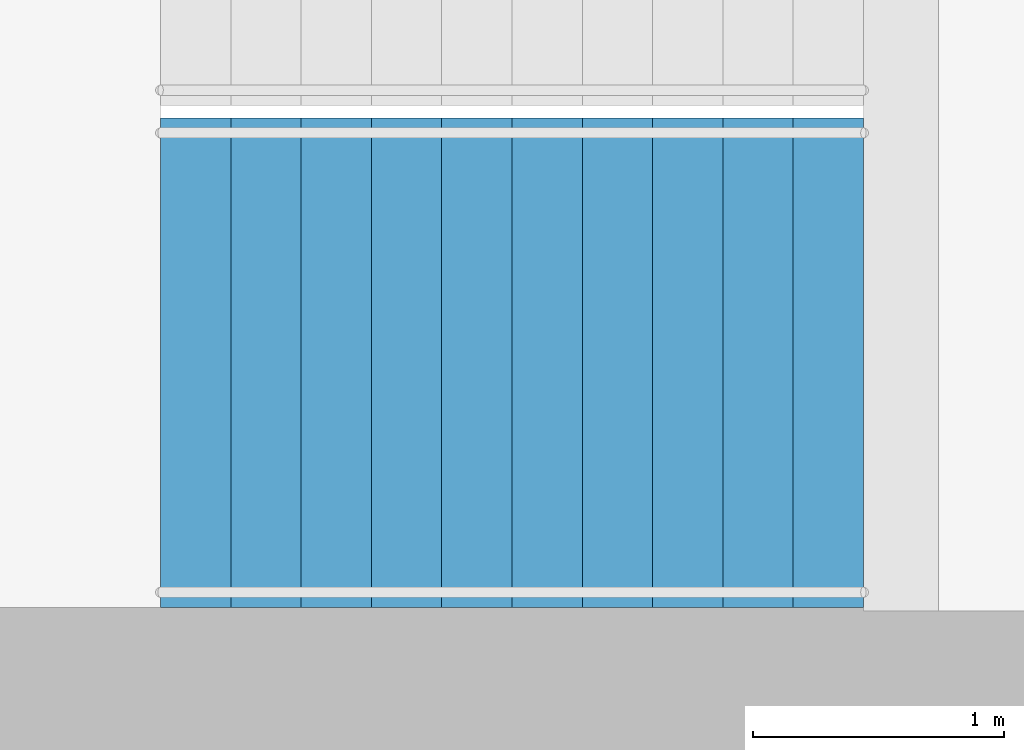
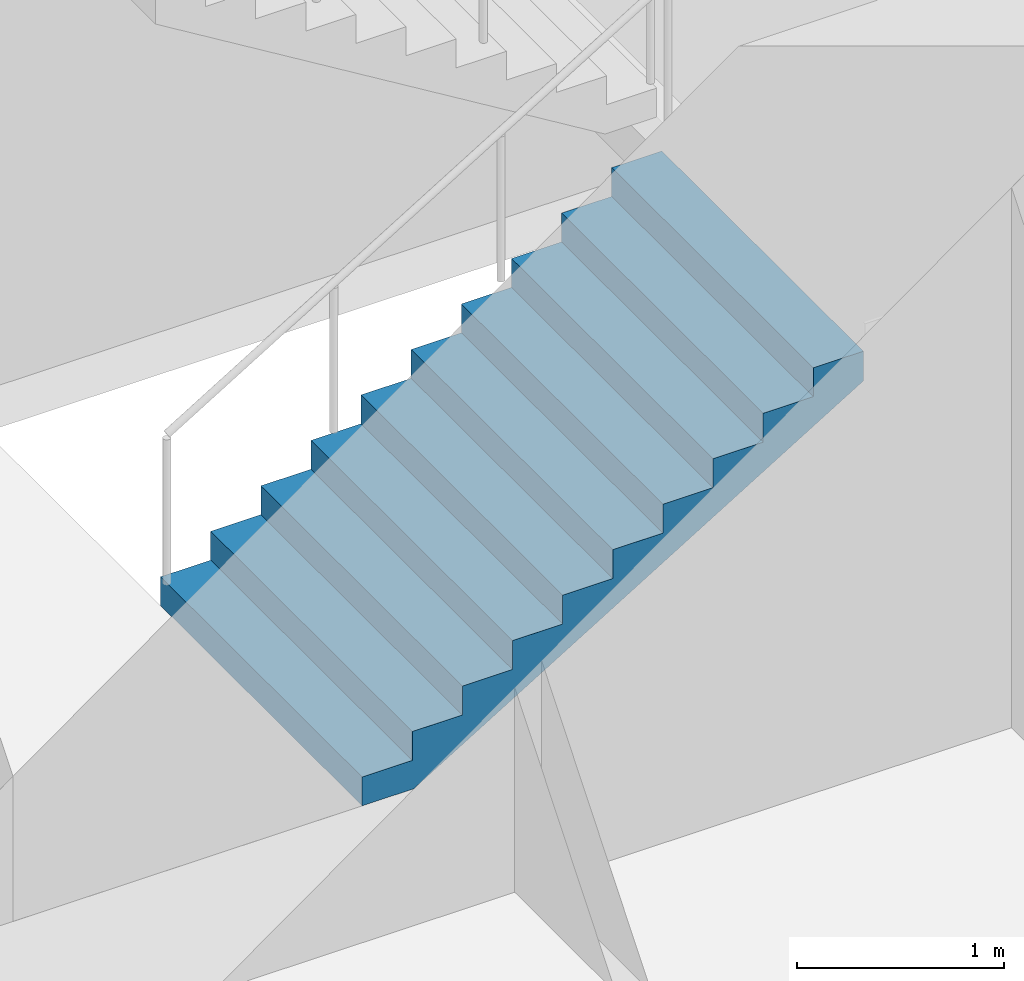
# One storey, part 21 of 25: 1 stair flight, 1 element without a shape of its own.
"""IFC4 building model written with IfcOpenShell, lengths in metres."""

from ifc_helpers import new_model, si_unit, direction, frame, origin, place, context, subcontext, project, spatial, triangles, material, type_object, element, aggregate, save


model = new_model("IFC4")

# Units and contexts
model_context = context("Model", 3, precision=1e-05, world=origin(), true_north=direction((0.0, 1.0)))
body_context = subcontext(model_context, "Body", "Model", "MODEL_VIEW")
ifc_project = project(units=[si_unit("LENGTHUNIT", "METRE"), si_unit("AREAUNIT", "SQUARE_METRE"), si_unit("VOLUMEUNIT", "CUBIC_METRE"), si_unit("PLANEANGLEUNIT", "RADIAN"), si_unit("MASSUNIT", "GRAM", prefix="KILO")], contexts=[model_context])

# Site, building, storey
site_placement = place(None, origin())
site = spatial("IfcSite", under=ifc_project, at=site_placement, CompositionType="ELEMENT")
building_placement = place(site_placement, origin())
building = spatial("IfcBuilding", under=site, at=building_placement, Name="Orbita Commons", CompositionType="ELEMENT")
storey_placement = place(building_placement, frame((0.0, 0.0, 31.449951171875)))
storey = spatial("IfcBuildingStorey", under=building, at=storey_placement, Name="L07", CompositionType="ELEMENT", Elevation=31.449951171875)

# Stair, stair flight
ifc_material_1 = material(Name="Precast concrete C40/50", Category="concrete")
stair_type = type_object("IfcStairType", Name="Exit stair S1 2 flights 11 risers 170", PredefinedType="HALF_TURN_STAIR", material=ifc_material_1)
stair_placement = place(storey_placement, origin())
stair = element("IfcStair", 1, at=stair_placement, inside=storey, type_object=stair_type, Name="Exit stair S1 L07", PredefinedType="HALF_TURN_STAIR")
ifc_material_2 = material(Name="Precast concrete C40/50", Category="concrete")
stair_flight_type = type_object("IfcStairFlightType", Name="Stair flight 11 risers 170 x 280", PredefinedType="STRAIGHT", material=ifc_material_2)
stair_flight_placement = place(storey_placement, frame((20.449951171875, 27.27490234375, 0.0), z_axis=(0.0, 0.0, 1.0), x_axis=(1.0, 0.0, 0.0)))
stair_flight = element("IfcStairFlight", 2, at=stair_flight_placement, type_object=stair_flight_type, Name="S1 flight 1", NumberOfRisers=11, NumberOfTreads=10, PredefinedType="STRAIGHT", RiserHeight=0.170454545, TreadLength=0.28, context=body_context, shape_type="Tessellation", body=[
    triangles([(0.0, 0.974976, 0.0), (0.0, 0.974976, 0.021307), (0.0, 0.81248, 0.021307), (0.0, 0.81248, 0.0), (0.0, 0.649984, 0.021307), (0.0, 0.649984, 0.0), (0.0, 0.487488, 0.021307), (0.0, 0.487488, 0.0), (0.0, 0.324992, 0.021307), (0.0, 0.324992, 0.0), (0.0, 0.162496, 0.021307), (0.0, 0.162496, 0.0), (0.0, 0.0, 0.021307), (0.0, 0.0, 0.0), (0.0, -0.162496, 0.021307), (0.0, -0.162496, 0.0), (0.0, -0.324992, 0.021307), (0.0, -0.324992, 0.0), (0.0, -0.487488, 0.021307), (0.0, -0.487488, 0.0), (0.0, -0.649984, 0.021307), (0.0, -0.649984, 0.0), (0.0, -0.81248, 0.021307), (0.0, -0.81248, 0.0), (0.0, -0.974976, 0.021307), (0.0, -0.974976, 0.0), (0.0, 0.974976, 0.042614), (0.0, 0.81248, 0.042614), (0.0, 0.649984, 0.042614), (0.0, 0.487488, 0.042614), (0.0, 0.324992, 0.042614), (0.0, 0.162496, 0.042614), (0.0, 0.0, 0.042614), (0.0, -0.162496, 0.042614), (0.0, -0.324992, 0.042614), (0.0, -0.487488, 0.042614), (0.0, -0.649984, 0.042614), (0.0, -0.81248, 0.042614), (0.0, -0.974976, 0.042614), (0.0, 0.974976, 0.06392), (0.0, 0.81248, 0.06392), (0.0, 0.649984, 0.06392), (0.0, 0.487488, 0.06392), (0.0, 0.324992, 0.06392), (0.0, 0.162496, 0.06392), (0.0, 0.0, 0.06392), (0.0, -0.162496, 0.06392), (0.0, -0.324992, 0.06392), (0.0, -0.487488, 0.06392), (0.0, -0.649984, 0.06392), (0.0, -0.81248, 0.06392), (0.0, -0.974976, 0.06392), (0.0, 0.974976, 0.085227), (0.0, 0.81248, 0.085227), (0.0, 0.649984, 0.085227), (0.0, 0.487488, 0.085227), (0.0, 0.324992, 0.085227), (0.0, 0.162496, 0.085227), (0.0, 0.0, 0.085227), (0.0, -0.162496, 0.085227), (0.0, -0.324992, 0.085227), (0.0, -0.487488, 0.085227), (0.0, -0.649984, 0.085227), (0.0, -0.81248, 0.085227), (0.0, -0.974976, 0.085227), (0.0, 0.974976, 0.106534), (0.0, 0.81248, 0.106534), (0.0, 0.649984, 0.106534), (0.0, 0.487488, 0.106534), (0.0, 0.324992, 0.106534), (0.0, 0.162496, 0.106534), (0.0, 0.0, 0.106534), (0.0, -0.162496, 0.106534), (0.0, -0.324992, 0.106534), (0.0, -0.487488, 0.106534), (0.0, -0.649984, 0.106534), (0.0, -0.81248, 0.106534), (0.0, -0.974976, 0.106534), (0.0, 0.974976, 0.127841), (0.0, 0.81248, 0.127841), (0.0, 0.649984, 0.127841), (0.0, 0.487488, 0.127841), (0.0, 0.324992, 0.127841), (0.0, 0.162496, 0.127841), (0.0, 0.0, 0.127841), (0.0, -0.162496, 0.127841), (0.0, -0.324992, 0.127841), (0.0, -0.487488, 0.127841), (0.0, -0.649984, 0.127841), (0.0, -0.81248, 0.127841), (0.0, -0.974976, 0.127841), (0.0, 0.974976, 0.149148), (0.0, 0.81248, 0.149148), (0.0, 0.649984, 0.149148), (0.0, 0.487488, 0.149148), (0.0, 0.324992, 0.149148), (0.0, 0.162496, 0.149148), (0.0, 0.0, 0.149148), (0.0, -0.162496, 0.149148), (0.0, -0.324992, 0.149148), (0.0, -0.487488, 0.149148), (0.0, -0.649984, 0.149148), (0.0, -0.81248, 0.149148), (0.0, -0.974976, 0.149148), (0.0, 0.974976, 0.170455), (0.0, 0.81248, 0.170455), (0.0, 0.649984, 0.170455), (0.0, 0.487488, 0.170455), (0.0, 0.324992, 0.170455), (0.0, 0.162496, 0.170455), (0.0, 0.0, 0.170455), (0.0, -0.162496, 0.170455), (0.0, -0.324992, 0.170455), (0.0, -0.487488, 0.170455), (0.0, -0.649984, 0.170455), (0.0, -0.81248, 0.170455), (0.0, -0.974976, 0.170455), (0.28, 0.974976, 0.170455), (0.28, 0.81248, 0.170455), (0.28, 0.649984, 0.170455), (0.28, 0.487488, 0.170455), (0.28, 0.324992, 0.170455), (0.28, 0.162496, 0.170455), (0.28, 0.0, 0.170455), (0.28, -0.162496, 0.170455), (0.28, -0.324992, 0.170455), (0.28, -0.487488, 0.170455), (0.28, -0.649984, 0.170455), (0.28, -0.81248, 0.170455), (0.28, -0.974976, 0.170455), (0.28, 0.974976, 0.340909), (0.28, 0.81248, 0.340909), (0.28, 0.649984, 0.340909), (0.28, 0.487488, 0.340909), (0.28, 0.324992, 0.340909), (0.28, 0.162496, 0.340909), (0.28, 0.0, 0.340909), (0.28, -0.162496, 0.340909), (0.28, -0.324992, 0.340909), (0.28, -0.487488, 0.340909), (0.28, -0.649984, 0.340909), (0.28, -0.81248, 0.340909), (0.28, -0.974976, 0.340909), (0.56, 0.974976, 0.340909), (0.56, 0.81248, 0.340909), (0.56, 0.649984, 0.340909), (0.56, 0.487488, 0.340909), (0.56, 0.324992, 0.340909), (0.56, 0.162496, 0.340909), (0.56, 0.0, 0.340909), (0.56, -0.162496, 0.340909), (0.56, -0.324992, 0.340909), (0.56, -0.487488, 0.340909), (0.56, -0.649984, 0.340909), (0.56, -0.81248, 0.340909), (0.56, -0.974976, 0.340909), (0.56, 0.974976, 0.511364), (0.56, 0.81248, 0.511364), (0.56, 0.649984, 0.511364), (0.56, 0.487488, 0.511364), (0.56, 0.324992, 0.511364), (0.56, 0.162496, 0.511364), (0.56, 0.0, 0.511364), (0.56, -0.162496, 0.511364), (0.56, -0.324992, 0.511364), (0.56, -0.487488, 0.511364), (0.56, -0.649984, 0.511364), (0.56, -0.81248, 0.511364), (0.56, -0.974976, 0.511364), (0.84, 0.974976, 0.511364), (0.84, 0.81248, 0.511364), (0.84, 0.649984, 0.511364), (0.84, 0.487488, 0.511364), (0.84, 0.324992, 0.511364), (0.84, 0.162496, 0.511364), (0.84, 0.0, 0.511364), (0.84, -0.162496, 0.511364), (0.84, -0.324992, 0.511364), (0.84, -0.487488, 0.511364), (0.84, -0.649984, 0.511364), (0.84, -0.81248, 0.511364), (0.84, -0.974976, 0.511364), (0.84, 0.974976, 0.681818), (0.84, 0.81248, 0.681818), (0.84, 0.649984, 0.681818), (0.84, 0.487488, 0.681818), (0.84, 0.324992, 0.681818), (0.84, 0.162496, 0.681818), (0.84, 0.0, 0.681818), (0.84, -0.162496, 0.681818), (0.84, -0.324992, 0.681818), (0.84, -0.487488, 0.681818), (0.84, -0.649984, 0.681818), (0.84, -0.81248, 0.681818), (0.84, -0.974976, 0.681818), (1.12, 0.974976, 0.681818), (1.12, 0.81248, 0.681818), (1.12, 0.649984, 0.681818), (1.12, 0.487488, 0.681818), (1.12, 0.324992, 0.681818), (1.12, 0.162496, 0.681818), (1.12, 0.0, 0.681818), (1.12, -0.162496, 0.681818), (1.12, -0.324992, 0.681818), (1.12, -0.487488, 0.681818), (1.12, -0.649984, 0.681818), (1.12, -0.81248, 0.681818), (1.12, -0.974976, 0.681818), (1.12, 0.974976, 0.852273), (1.12, 0.81248, 0.852273), (1.12, 0.649984, 0.852273), (1.12, 0.487488, 0.852273), (1.12, 0.324992, 0.852273), (1.12, 0.162496, 0.852273), (1.12, 0.0, 0.852273), (1.12, -0.162496, 0.852273), (1.12, -0.324992, 0.852273), (1.12, -0.487488, 0.852273), (1.12, -0.649984, 0.852273), (1.12, -0.81248, 0.852273), (1.12, -0.974976, 0.852273), (1.4, 0.974976, 0.852273), (1.4, 0.81248, 0.852273), (1.4, 0.649984, 0.852273), (1.4, 0.487488, 0.852273), (1.4, 0.324992, 0.852273), (1.4, 0.162496, 0.852273), (1.4, 0.0, 0.852273), (1.4, -0.162496, 0.852273), (1.4, -0.324992, 0.852273), (1.4, -0.487488, 0.852273), (1.4, -0.649984, 0.852273), (1.4, -0.81248, 0.852273), (1.4, -0.974976, 0.852273), (1.4, 0.974976, 1.022727), (1.4, 0.81248, 1.022727), (1.4, 0.649984, 1.022727), (1.4, 0.487488, 1.022727), (1.4, 0.324992, 1.022727), (1.4, 0.162496, 1.022727), (1.4, 0.0, 1.022727), (1.4, -0.162496, 1.022727), (1.4, -0.324992, 1.022727), (1.4, -0.487488, 1.022727), (1.4, -0.649984, 1.022727), (1.4, -0.81248, 1.022727), (1.4, -0.974976, 1.022727), (1.68, 0.974976, 1.022727), (1.68, 0.81248, 1.022727), (1.68, 0.649984, 1.022727), (1.68, 0.487488, 1.022727), (1.68, 0.324992, 1.022727), (1.68, 0.162496, 1.022727), (1.68, 0.0, 1.022727), (1.68, -0.162496, 1.022727), (1.68, -0.324992, 1.022727), (1.68, -0.487488, 1.022727), (1.68, -0.649984, 1.022727), (1.68, -0.81248, 1.022727), (1.68, -0.974976, 1.022727), (1.68, 0.974976, 1.193182), (1.68, 0.81248, 1.193182), (1.68, 0.649984, 1.193182), (1.68, 0.487488, 1.193182), (1.68, 0.324992, 1.193182), (1.68, 0.162496, 1.193182), (1.68, 0.0, 1.193182), (1.68, -0.162496, 1.193182), (1.68, -0.324992, 1.193182), (1.68, -0.487488, 1.193182), (1.68, -0.649984, 1.193182), (1.68, -0.81248, 1.193182), (1.68, -0.974976, 1.193182), (1.96, 0.974976, 1.193182), (1.96, 0.81248, 1.193182), (1.96, 0.649984, 1.193182), (1.96, 0.487488, 1.193182), (1.96, 0.324992, 1.193182), (1.96, 0.162496, 1.193182), (1.96, 0.0, 1.193182), (1.96, -0.162496, 1.193182), (1.96, -0.324992, 1.193182), (1.96, -0.487488, 1.193182), (1.96, -0.649984, 1.193182), (1.96, -0.81248, 1.193182), (1.96, -0.974976, 1.193182), (1.96, 0.974976, 1.363636), (1.96, 0.81248, 1.363636), (1.96, 0.649984, 1.363636), (1.96, 0.487488, 1.363636), (1.96, 0.324992, 1.363636), (1.96, 0.162496, 1.363636), (1.96, 0.0, 1.363636), (1.96, -0.162496, 1.363636), (1.96, -0.324992, 1.363636), (1.96, -0.487488, 1.363636), (1.96, -0.649984, 1.363636), (1.96, -0.81248, 1.363636), (1.96, -0.974976, 1.363636), (2.24, 0.974976, 1.363636), (2.24, 0.81248, 1.363636), (2.24, 0.649984, 1.363636), (2.24, 0.487488, 1.363636), (2.24, 0.324992, 1.363636), (2.24, 0.162496, 1.363636), (2.24, 0.0, 1.363636), (2.24, -0.162496, 1.363636), (2.24, -0.324992, 1.363636), (2.24, -0.487488, 1.363636), (2.24, -0.649984, 1.363636), (2.24, -0.81248, 1.363636), (2.24, -0.974976, 1.363636), (2.24, 0.974976, 1.534091), (2.24, 0.81248, 1.534091), (2.24, 0.649984, 1.534091), (2.24, 0.487488, 1.534091), (2.24, 0.324992, 1.534091), (2.24, 0.162496, 1.534091), (2.24, 0.0, 1.534091), (2.24, -0.162496, 1.534091), (2.24, -0.324992, 1.534091), (2.24, -0.487488, 1.534091), (2.24, -0.649984, 1.534091), (2.24, -0.81248, 1.534091), (2.24, -0.974976, 1.534091), (2.52, 0.974976, 1.534091), (2.52, 0.81248, 1.534091), (2.52, 0.649984, 1.534091), (2.52, 0.487488, 1.534091), (2.52, 0.324992, 1.534091), (2.52, 0.162496, 1.534091), (2.52, 0.0, 1.534091), (2.52, -0.162496, 1.534091), (2.52, -0.324992, 1.534091), (2.52, -0.487488, 1.534091), (2.52, -0.649984, 1.534091), (2.52, -0.81248, 1.534091), (2.52, -0.974976, 1.534091), (2.52, 0.974976, 1.704545), (2.52, 0.81248, 1.704545), (2.52, 0.649984, 1.704545), (2.52, 0.487488, 1.704545), (2.52, 0.324992, 1.704545), (2.52, 0.162496, 1.704545), (2.52, 0.0, 1.704545), (2.52, -0.162496, 1.704545), (2.52, -0.324992, 1.704545), (2.52, -0.487488, 1.704545), (2.52, -0.649984, 1.704545), (2.52, -0.81248, 1.704545), (2.52, -0.974976, 1.704545), (2.8, 0.974976, 1.704545), (2.8, 0.81248, 1.704545), (2.8, 0.649984, 1.704545), (2.8, 0.487488, 1.704545), (2.8, 0.324992, 1.704545), (2.8, 0.162496, 1.704545), (2.8, 0.0, 1.704545), (2.8, -0.162496, 1.704545), (2.8, -0.324992, 1.704545), (2.8, -0.487488, 1.704545), (2.8, -0.649984, 1.704545), (2.8, -0.81248, 1.704545), (2.8, -0.974976, 1.704545), (2.8, 0.974976, 1.682609), (2.8, 0.81248, 1.682609), (2.8, 0.649984, 1.682609), (2.8, 0.487488, 1.682609), (2.8, 0.324992, 1.682609), (2.8, 0.162496, 1.682609), (2.8, 0.0, 1.682609), (2.8, -0.162496, 1.682609), (2.8, -0.324992, 1.682609), (2.8, -0.487488, 1.682609), (2.8, -0.649984, 1.682609), (2.8, -0.81248, 1.682609), (2.8, -0.974976, 1.682609), (2.8, 0.974976, 1.660672), (2.8, 0.81248, 1.660672), (2.8, 0.649984, 1.660672), (2.8, 0.487488, 1.660672), (2.8, 0.324992, 1.660672), (2.8, 0.162496, 1.660672), (2.8, 0.0, 1.660672), (2.8, -0.162496, 1.660672), (2.8, -0.324992, 1.660672), (2.8, -0.487488, 1.660672), (2.8, -0.649984, 1.660672), (2.8, -0.81248, 1.660672), (2.8, -0.974976, 1.660672), (2.8, 0.974976, 1.638735), (2.8, 0.81248, 1.638735), (2.8, 0.649984, 1.638735), (2.8, 0.487488, 1.638735), (2.8, 0.324992, 1.638735), (2.8, 0.162496, 1.638735), (2.8, 0.0, 1.638735), (2.8, -0.162496, 1.638735), (2.8, -0.324992, 1.638735), (2.8, -0.487488, 1.638735), (2.8, -0.649984, 1.638735), (2.8, -0.81248, 1.638735), (2.8, -0.974976, 1.638735), (2.8, 0.974976, 1.616798), (2.8, 0.81248, 1.616798), (2.8, 0.649984, 1.616798), (2.8, 0.487488, 1.616798), (2.8, 0.324992, 1.616798), (2.8, 0.162496, 1.616798), (2.8, 0.0, 1.616798), (2.8, -0.162496, 1.616798), (2.8, -0.324992, 1.616798), (2.8, -0.487488, 1.616798), (2.8, -0.649984, 1.616798), (2.8, -0.81248, 1.616798), (2.8, -0.974976, 1.616798), (2.8, 0.974976, 1.594861), (2.8, 0.81248, 1.594861), (2.8, 0.649984, 1.594861), (2.8, 0.487488, 1.594861), (2.8, 0.324992, 1.594861), (2.8, 0.162496, 1.594861), (2.8, 0.0, 1.594861), (2.8, -0.162496, 1.594861), (2.8, -0.324992, 1.594861), (2.8, -0.487488, 1.594861), (2.8, -0.649984, 1.594861), (2.8, -0.81248, 1.594861), (2.8, -0.974976, 1.594861), (2.8, 0.974976, 1.572925), (2.8, 0.81248, 1.572925), (2.8, 0.649984, 1.572925), (2.8, 0.487488, 1.572925), (2.8, 0.324992, 1.572925), (2.8, 0.162496, 1.572925), (2.8, 0.0, 1.572925), (2.8, -0.162496, 1.572925), (2.8, -0.324992, 1.572925), (2.8, -0.487488, 1.572925), (2.8, -0.649984, 1.572925), (2.8, -0.81248, 1.572925), (2.8, -0.974976, 1.572925), (2.8, 0.974976, 1.550988), (2.8, 0.81248, 1.550988), (2.8, 0.649984, 1.550988), (2.8, 0.487488, 1.550988), (2.8, 0.324992, 1.550988), (2.8, 0.162496, 1.550988), (2.8, 0.0, 1.550988), (2.8, -0.162496, 1.550988), (2.8, -0.324992, 1.550988), (2.8, -0.487488, 1.550988), (2.8, -0.649984, 1.550988), (2.8, -0.81248, 1.550988), (2.8, -0.974976, 1.550988), (2.8, 0.974976, 1.529051), (2.8, 0.81248, 1.529051), (2.8, 0.649984, 1.529051), (2.8, 0.487488, 1.529051), (2.8, 0.324992, 1.529051), (2.8, 0.162496, 1.529051), (2.8, 0.0, 1.529051), (2.8, -0.162496, 1.529051), (2.8, -0.324992, 1.529051), (2.8, -0.487488, 1.529051), (2.8, -0.649984, 1.529051), (2.8, -0.81248, 1.529051), (2.8, -0.974976, 1.529051), (0.288279, 0.974976, 0.0), (0.288279, 0.81248, 0.0), (0.288279, 0.649984, 0.0), (0.288279, 0.487488, 0.0), (0.288279, 0.324992, 0.0), (0.288279, 0.162496, 0.0), (0.288279, 0.0, 0.0), (0.288279, -0.162496, 0.0), (0.288279, -0.324992, 0.0), (0.288279, -0.487488, 0.0), (0.288279, -0.649984, 0.0), (0.288279, -0.81248, 0.0), (0.288279, -0.974976, 0.0)], [[3, 2, 1], [4, 3, 1], [5, 3, 4], [6, 5, 4], [7, 5, 6], [8, 7, 6], [9, 7, 8], [10, 9, 8], [11, 9, 10], [12, 11, 10], [13, 11, 12], [14, 13, 12], [15, 13, 14], [16, 15, 14], [17, 15, 16], [18, 17, 16], [19, 17, 18], [20, 19, 18], [21, 19, 20], [22, 21, 20], [23, 21, 22], [24, 23, 22], [25, 23, 24], [26, 25, 24], [28, 27, 2], [3, 28, 2], [29, 28, 3], [5, 29, 3], [30, 29, 5], [7, 30, 5], [31, 30, 7], [9, 31, 7], [32, 31, 9], [11, 32, 9], [33, 32, 11], [13, 33, 11], [34, 33, 13], [15, 34, 13], [35, 34, 15], [17, 35, 15], [36, 35, 17], [19, 36, 17], [37, 36, 19], [21, 37, 19], [38, 37, 21], [23, 38, 21], [39, 38, 23], [25, 39, 23], [41, 40, 27], [28, 41, 27], [42, 41, 28], [29, 42, 28], [43, 42, 29], [30, 43, 29], [44, 43, 30], [31, 44, 30], [45, 44, 31], [32, 45, 31], [46, 45, 32], [33, 46, 32], [47, 46, 33], [34, 47, 33], [48, 47, 34], [35, 48, 34], [49, 48, 35], [36, 49, 35], [50, 49, 36], [37, 50, 36], [51, 50, 37], [38, 51, 37], [52, 51, 38], [39, 52, 38], [54, 53, 40], [41, 54, 40], [55, 54, 41], [42, 55, 41], [56, 55, 42], [43, 56, 42], [57, 56, 43], [44, 57, 43], [58, 57, 44], [45, 58, 44], [59, 58, 45], [46, 59, 45], [60, 59, 46], [47, 60, 46], [61, 60, 47], [48, 61, 47], [62, 61, 48], [49, 62, 48], [63, 62, 49], [50, 63, 49], [64, 63, 50], [51, 64, 50], [65, 64, 51], [52, 65, 51], [67, 66, 53], [54, 67, 53], [68, 67, 54], [55, 68, 54], [69, 68, 55], [56, 69, 55], [70, 69, 56], [57, 70, 56], [71, 70, 57], [58, 71, 57], [72, 71, 58], [59, 72, 58], [73, 72, 59], [60, 73, 59], [74, 73, 60], [61, 74, 60], [75, 74, 61], [62, 75, 61], [76, 75, 62], [63, 76, 62], [77, 76, 63], [64, 77, 63], [78, 77, 64], [65, 78, 64], [80, 79, 66], [67, 80, 66], [81, 80, 67], [68, 81, 67], [82, 81, 68], [69, 82, 68], [83, 82, 69], [70, 83, 69], [84, 83, 70], [71, 84, 70], [85, 84, 71], [72, 85, 71], [86, 85, 72], [73, 86, 72], [87, 86, 73], [74, 87, 73], [88, 87, 74], [75, 88, 74], [89, 88, 75], [76, 89, 75], [90, 89, 76], [77, 90, 76], [91, 90, 77], [78, 91, 77], [93, 92, 79], [80, 93, 79], [94, 93, 80], [81, 94, 80], [95, 94, 81], [82, 95, 81], [96, 95, 82], [83, 96, 82], [97, 96, 83], [84, 97, 83], [98, 97, 84], [85, 98, 84], [99, 98, 85], [86, 99, 85], [100, 99, 86], [87, 100, 86], [101, 100, 87], [88, 101, 87], [102, 101, 88], [89, 102, 88], [103, 102, 89], [90, 103, 89], [104, 103, 90], [91, 104, 90], [106, 105, 92], [93, 106, 92], [107, 106, 93], [94, 107, 93], [108, 107, 94], [95, 108, 94], [109, 108, 95], [96, 109, 95], [110, 109, 96], [97, 110, 96], [111, 110, 97], [98, 111, 97], [112, 111, 98], [99, 112, 98], [113, 112, 99], [100, 113, 99], [114, 113, 100], [101, 114, 100], [115, 114, 101], [102, 115, 101], [116, 115, 102], [103, 116, 102], [117, 116, 103], [104, 117, 103], [119, 118, 105], [106, 119, 105], [120, 119, 106], [107, 120, 106], [121, 120, 107], [108, 121, 107], [122, 121, 108], [109, 122, 108], [123, 122, 109], [110, 123, 109], [124, 123, 110], [111, 124, 110], [125, 124, 111], [112, 125, 111], [126, 125, 112], [113, 126, 112], [127, 126, 113], [114, 127, 113], [128, 127, 114], [115, 128, 114], [129, 128, 115], [116, 129, 115], [130, 129, 116], [117, 130, 116], [132, 131, 118], [119, 132, 118], [133, 132, 119], [120, 133, 119], [134, 133, 120], [121, 134, 120], [135, 134, 121], [122, 135, 121], [136, 135, 122], [123, 136, 122], [137, 136, 123], [124, 137, 123], [138, 137, 124], [125, 138, 124], [139, 138, 125], [126, 139, 125], [140, 139, 126], [127, 140, 126], [141, 140, 127], [128, 141, 127], [142, 141, 128], [129, 142, 128], [143, 142, 129], [130, 143, 129], [145, 144, 131], [132, 145, 131], [146, 145, 132], [133, 146, 132], [147, 146, 133], [134, 147, 133], [148, 147, 134], [135, 148, 134], [149, 148, 135], [136, 149, 135], [150, 149, 136], [137, 150, 136], [151, 150, 137], [138, 151, 137], [152, 151, 138], [139, 152, 138], [153, 152, 139], [140, 153, 139], [154, 153, 140], [141, 154, 140], [155, 154, 141], [142, 155, 141], [156, 155, 142], [143, 156, 142], [158, 157, 144], [145, 158, 144], [159, 158, 145], [146, 159, 145], [160, 159, 146], [147, 160, 146], [161, 160, 147], [148, 161, 147], [162, 161, 148], [149, 162, 148], [163, 162, 149], [150, 163, 149], [164, 163, 150], [151, 164, 150], [165, 164, 151], [152, 165, 151], [166, 165, 152], [153, 166, 152], [167, 166, 153], [154, 167, 153], [168, 167, 154], [155, 168, 154], [169, 168, 155], [156, 169, 155], [171, 170, 157], [158, 171, 157], [172, 171, 158], [159, 172, 158], [173, 172, 159], [160, 173, 159], [174, 173, 160], [161, 174, 160], [175, 174, 161], [162, 175, 161], [176, 175, 162], [163, 176, 162], [177, 176, 163], [164, 177, 163], [178, 177, 164], [165, 178, 164], [179, 178, 165], [166, 179, 165], [180, 179, 166], [167, 180, 166], [181, 180, 167], [168, 181, 167], [182, 181, 168], [169, 182, 168], [184, 183, 170], [171, 184, 170], [185, 184, 171], [172, 185, 171], [186, 185, 172], [173, 186, 172], [187, 186, 173], [174, 187, 173], [188, 187, 174], [175, 188, 174], [189, 188, 175], [176, 189, 175], [190, 189, 176], [177, 190, 176], [191, 190, 177], [178, 191, 177], [192, 191, 178], [179, 192, 178], [193, 192, 179], [180, 193, 179], [194, 193, 180], [181, 194, 180], [195, 194, 181], [182, 195, 181], [197, 196, 183], [184, 197, 183], [198, 197, 184], [185, 198, 184], [199, 198, 185], [186, 199, 185], [200, 199, 186], [187, 200, 186], [201, 200, 187], [188, 201, 187], [202, 201, 188], [189, 202, 188], [203, 202, 189], [190, 203, 189], [204, 203, 190], [191, 204, 190], [205, 204, 191], [192, 205, 191], [206, 205, 192], [193, 206, 192], [207, 206, 193], [194, 207, 193], [208, 207, 194], [195, 208, 194], [210, 209, 196], [197, 210, 196], [211, 210, 197], [198, 211, 197], [212, 211, 198], [199, 212, 198], [213, 212, 199], [200, 213, 199], [214, 213, 200], [201, 214, 200], [215, 214, 201], [202, 215, 201], [216, 215, 202], [203, 216, 202], [217, 216, 203], [204, 217, 203], [218, 217, 204], [205, 218, 204], [219, 218, 205], [206, 219, 205], [220, 219, 206], [207, 220, 206], [221, 220, 207], [208, 221, 207], [223, 222, 209], [210, 223, 209], [224, 223, 210], [211, 224, 210], [225, 224, 211], [212, 225, 211], [226, 225, 212], [213, 226, 212], [227, 226, 213], [214, 227, 213], [228, 227, 214], [215, 228, 214], [229, 228, 215], [216, 229, 215], [230, 229, 216], [217, 230, 216], [231, 230, 217], [218, 231, 217], [232, 231, 218], [219, 232, 218], [233, 232, 219], [220, 233, 219], [234, 233, 220], [221, 234, 220], [236, 235, 222], [223, 236, 222], [237, 236, 223], [224, 237, 223], [238, 237, 224], [225, 238, 224], [239, 238, 225], [226, 239, 225], [240, 239, 226], [227, 240, 226], [241, 240, 227], [228, 241, 227], [242, 241, 228], [229, 242, 228], [243, 242, 229], [230, 243, 229], [244, 243, 230], [231, 244, 230], [245, 244, 231], [232, 245, 231], [246, 245, 232], [233, 246, 232], [247, 246, 233], [234, 247, 233], [249, 248, 235], [236, 249, 235], [250, 249, 236], [237, 250, 236], [251, 250, 237], [238, 251, 237], [252, 251, 238], [239, 252, 238], [253, 252, 239], [240, 253, 239], [254, 253, 240], [241, 254, 240], [255, 254, 241], [242, 255, 241], [256, 255, 242], [243, 256, 242], [257, 256, 243], [244, 257, 243], [258, 257, 244], [245, 258, 244], [259, 258, 245], [246, 259, 245], [260, 259, 246], [247, 260, 246], [262, 261, 248], [249, 262, 248], [263, 262, 249], [250, 263, 249], [264, 263, 250], [251, 264, 250], [265, 264, 251], [252, 265, 251], [266, 265, 252], [253, 266, 252], [267, 266, 253], [254, 267, 253], [268, 267, 254], [255, 268, 254], [269, 268, 255], [256, 269, 255], [270, 269, 256], [257, 270, 256], [271, 270, 257], [258, 271, 257], [272, 271, 258], [259, 272, 258], [273, 272, 259], [260, 273, 259], [275, 274, 261], [262, 275, 261], [276, 275, 262], [263, 276, 262], [277, 276, 263], [264, 277, 263], [278, 277, 264], [265, 278, 264], [279, 278, 265], [266, 279, 265], [280, 279, 266], [267, 280, 266], [281, 280, 267], [268, 281, 267], [282, 281, 268], [269, 282, 268], [283, 282, 269], [270, 283, 269], [284, 283, 270], [271, 284, 270], [285, 284, 271], [272, 285, 271], [286, 285, 272], [273, 286, 272], [288, 287, 274], [275, 288, 274], [289, 288, 275], [276, 289, 275], [290, 289, 276], [277, 290, 276], [291, 290, 277], [278, 291, 277], [292, 291, 278], [279, 292, 278], [293, 292, 279], [280, 293, 279], [294, 293, 280], [281, 294, 280], [295, 294, 281], [282, 295, 281], [296, 295, 282], [283, 296, 282], [297, 296, 283], [284, 297, 283], [298, 297, 284], [285, 298, 284], [299, 298, 285], [286, 299, 285], [301, 300, 287], [288, 301, 287], [302, 301, 288], [289, 302, 288], [303, 302, 289], [290, 303, 289], [304, 303, 290], [291, 304, 290], [305, 304, 291], [292, 305, 291], [306, 305, 292], [293, 306, 292], [307, 306, 293], [294, 307, 293], [308, 307, 294], [295, 308, 294], [309, 308, 295], [296, 309, 295], [310, 309, 296], [297, 310, 296], [311, 310, 297], [298, 311, 297], [312, 311, 298], [299, 312, 298], [314, 313, 300], [301, 314, 300], [315, 314, 301], [302, 315, 301], [316, 315, 302], [303, 316, 302], [317, 316, 303], [304, 317, 303], [318, 317, 304], [305, 318, 304], [319, 318, 305], [306, 319, 305], [320, 319, 306], [307, 320, 306], [321, 320, 307], [308, 321, 307], [322, 321, 308], [309, 322, 308], [323, 322, 309], [310, 323, 309], [324, 323, 310], [311, 324, 310], [325, 324, 311], [312, 325, 311], [327, 326, 313], [314, 327, 313], [328, 327, 314], [315, 328, 314], [329, 328, 315], [316, 329, 315], [330, 329, 316], [317, 330, 316], [331, 330, 317], [318, 331, 317], [332, 331, 318], [319, 332, 318], [333, 332, 319], [320, 333, 319], [334, 333, 320], [321, 334, 320], [335, 334, 321], [322, 335, 321], [336, 335, 322], [323, 336, 322], [337, 336, 323], [324, 337, 323], [338, 337, 324], [325, 338, 324], [340, 339, 326], [327, 340, 326], [341, 340, 327], [328, 341, 327], [342, 341, 328], [329, 342, 328], [343, 342, 329], [330, 343, 329], [344, 343, 330], [331, 344, 330], [345, 344, 331], [332, 345, 331], [346, 345, 332], [333, 346, 332], [347, 346, 333], [334, 347, 333], [348, 347, 334], [335, 348, 334], [349, 348, 335], [336, 349, 335], [350, 349, 336], [337, 350, 336], [351, 350, 337], [338, 351, 337], [353, 352, 339], [340, 353, 339], [354, 353, 340], [341, 354, 340], [355, 354, 341], [342, 355, 341], [356, 355, 342], [343, 356, 342], [357, 356, 343], [344, 357, 343], [358, 357, 344], [345, 358, 344], [359, 358, 345], [346, 359, 345], [360, 359, 346], [347, 360, 346], [361, 360, 347], [348, 361, 347], [362, 361, 348], [349, 362, 348], [363, 362, 349], [350, 363, 349], [364, 363, 350], [351, 364, 350], [366, 365, 352], [353, 366, 352], [367, 366, 353], [354, 367, 353], [368, 367, 354], [355, 368, 354], [369, 368, 355], [356, 369, 355], [370, 369, 356], [357, 370, 356], [371, 370, 357], [358, 371, 357], [372, 371, 358], [359, 372, 358], [373, 372, 359], [360, 373, 359], [374, 373, 360], [361, 374, 360], [375, 374, 361], [362, 375, 361], [376, 375, 362], [363, 376, 362], [377, 376, 363], [364, 377, 363], [379, 378, 365], [366, 379, 365], [380, 379, 366], [367, 380, 366], [381, 380, 367], [368, 381, 367], [382, 381, 368], [369, 382, 368], [383, 382, 369], [370, 383, 369], [384, 383, 370], [371, 384, 370], [385, 384, 371], [372, 385, 371], [386, 385, 372], [373, 386, 372], [387, 386, 373], [374, 387, 373], [388, 387, 374], [375, 388, 374], [389, 388, 375], [376, 389, 375], [390, 389, 376], [377, 390, 376], [392, 391, 378], [379, 392, 378], [393, 392, 379], [380, 393, 379], [394, 393, 380], [381, 394, 380], [395, 394, 381], [382, 395, 381], [396, 395, 382], [383, 396, 382], [397, 396, 383], [384, 397, 383], [398, 397, 384], [385, 398, 384], [399, 398, 385], [386, 399, 385], [400, 399, 386], [387, 400, 386], [401, 400, 387], [388, 401, 387], [402, 401, 388], [389, 402, 388], [403, 402, 389], [390, 403, 389], [405, 404, 391], [392, 405, 391], [406, 405, 392], [393, 406, 392], [407, 406, 393], [394, 407, 393], [408, 407, 394], [395, 408, 394], [409, 408, 395], [396, 409, 395], [410, 409, 396], [397, 410, 396], [411, 410, 397], [398, 411, 397], [412, 411, 398], [399, 412, 398], [413, 412, 399], [400, 413, 399], [414, 413, 400], [401, 414, 400], [415, 414, 401], [402, 415, 401], [416, 415, 402], [403, 416, 402], [418, 417, 404], [405, 418, 404], [419, 418, 405], [406, 419, 405], [420, 419, 406], [407, 420, 406], [421, 420, 407], [408, 421, 407], [422, 421, 408], [409, 422, 408], [423, 422, 409], [410, 423, 409], [424, 423, 410], [411, 424, 410], [425, 424, 411], [412, 425, 411], [426, 425, 412], [413, 426, 412], [427, 426, 413], [414, 427, 413], [428, 427, 414], [415, 428, 414], [429, 428, 415], [416, 429, 415], [431, 430, 417], [418, 431, 417], [432, 431, 418], [419, 432, 418], [433, 432, 419], [420, 433, 419], [434, 433, 420], [421, 434, 420], [435, 434, 421], [422, 435, 421], [436, 435, 422], [423, 436, 422], [437, 436, 423], [424, 437, 423], [438, 437, 424], [425, 438, 424], [439, 438, 425], [426, 439, 425], [440, 439, 426], [427, 440, 426], [441, 440, 427], [428, 441, 427], [442, 441, 428], [429, 442, 428], [444, 443, 430], [431, 444, 430], [445, 444, 431], [432, 445, 431], [446, 445, 432], [433, 446, 432], [447, 446, 433], [434, 447, 433], [448, 447, 434], [435, 448, 434], [449, 448, 435], [436, 449, 435], [450, 449, 436], [437, 450, 436], [451, 450, 437], [438, 451, 437], [452, 451, 438], [439, 452, 438], [453, 452, 439], [440, 453, 439], [454, 453, 440], [441, 454, 440], [455, 454, 441], [442, 455, 441], [457, 456, 443], [444, 457, 443], [458, 457, 444], [445, 458, 444], [459, 458, 445], [446, 459, 445], [460, 459, 446], [447, 460, 446], [461, 460, 447], [448, 461, 447], [462, 461, 448], [449, 462, 448], [463, 462, 449], [450, 463, 449], [464, 463, 450], [451, 464, 450], [465, 464, 451], [452, 465, 451], [466, 465, 452], [453, 466, 452], [467, 466, 453], [454, 467, 453], [468, 467, 454], [455, 468, 454], [470, 469, 456], [457, 470, 456], [471, 470, 457], [458, 471, 457], [472, 471, 458], [459, 472, 458], [473, 472, 459], [460, 473, 459], [474, 473, 460], [461, 474, 460], [475, 474, 461], [462, 475, 461], [476, 475, 462], [463, 476, 462], [477, 476, 463], [464, 477, 463], [478, 477, 464], [465, 478, 464], [479, 478, 465], [466, 479, 465], [480, 479, 466], [467, 480, 466], [481, 480, 467], [468, 481, 467], [4, 1, 469], [470, 4, 469], [6, 4, 470], [471, 6, 470], [8, 6, 471], [472, 8, 471], [10, 8, 472], [473, 10, 472], [12, 10, 473], [474, 12, 473], [14, 12, 474], [475, 14, 474], [16, 14, 475], [476, 16, 475], [18, 16, 476], [477, 18, 476], [20, 18, 477], [478, 20, 477], [22, 20, 478], [479, 22, 478], [24, 22, 479], [480, 24, 479], [26, 24, 480], [481, 26, 480], [456, 469, 1], [26, 481, 468], [443, 456, 1], [26, 468, 455], [430, 443, 1], [26, 455, 442], [417, 430, 1], [26, 442, 429], [404, 417, 1], [26, 429, 416], [391, 404, 1], [26, 416, 403], [378, 391, 1], [26, 403, 390], [365, 378, 1], [26, 390, 377], [339, 352, 365], [377, 364, 351], [326, 339, 365], [377, 351, 338], [300, 313, 326], [338, 325, 312], [300, 326, 365], [377, 338, 312], [274, 287, 300], [312, 299, 286], [274, 300, 365], [377, 312, 286], [248, 261, 274], [286, 273, 260], [248, 274, 365], [377, 286, 260], [222, 235, 248], [260, 247, 234], [222, 248, 365], [377, 260, 234], [196, 209, 222], [234, 221, 208], [196, 222, 365], [377, 234, 208], [170, 183, 196], [208, 195, 182], [170, 196, 365], [377, 208, 182], [144, 157, 170], [182, 169, 156], [144, 170, 365], [377, 182, 156], [118, 131, 144], [156, 143, 130], [118, 144, 365], [377, 156, 130], [118, 365, 1], [26, 377, 130], [92, 105, 118], [130, 117, 104], [79, 92, 118], [130, 104, 91], [66, 79, 118], [130, 91, 78], [53, 66, 118], [130, 78, 65], [40, 53, 118], [130, 65, 52], [27, 40, 118], [130, 52, 39], [2, 27, 118], [130, 39, 25], [1, 2, 118], [130, 25, 26]], closed=True),
])
aggregate(stair, [stair_flight])

save(model, "model.ifc")
